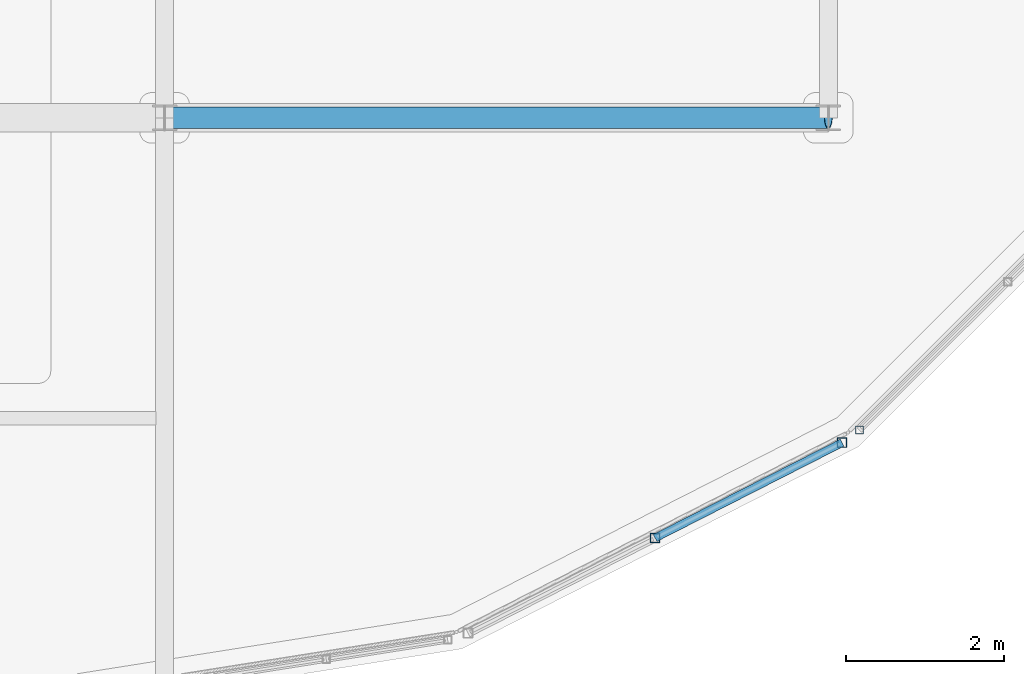
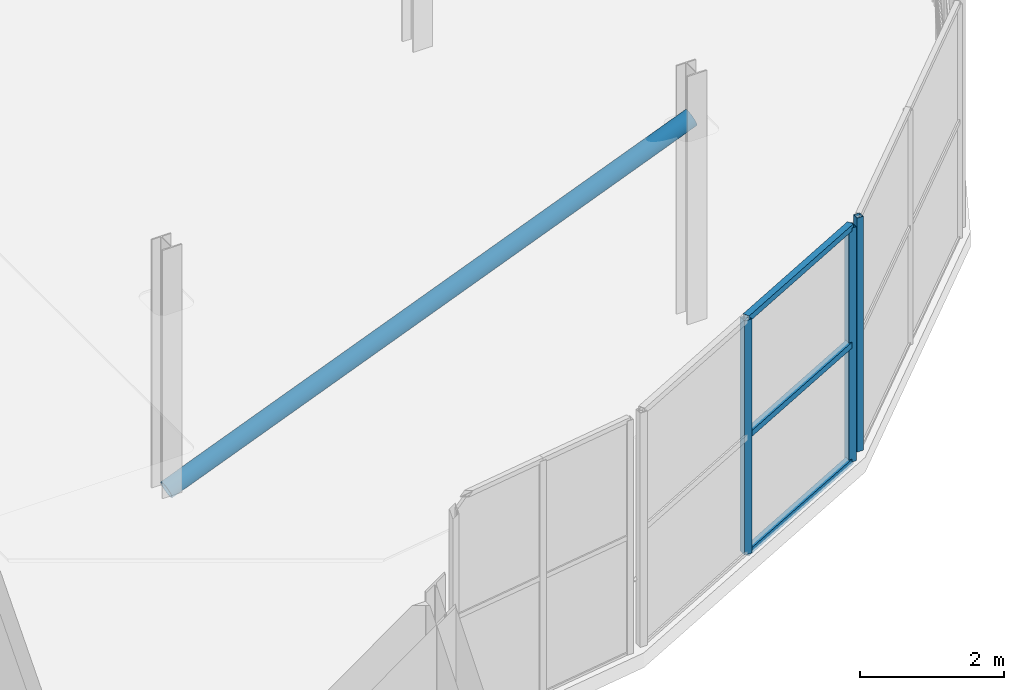
# One storey, part 92 of 151: 7 members, 2 elements without a shape of their own.
"""IFC4 building model written with IfcOpenShell, lengths in metres."""

from ifc_helpers import new_model, si_unit, direction, frame, origin, origin_2d, place, context, subcontext, project, spatial, hollow_rectangle, hollow_circle, extrude, material, material_profile, profile_set, type_object, element, aggregate, save


model = new_model("IFC4")

# Units and contexts
model_context = context("Model", 3, precision=1e-05, world=origin(), true_north=direction((0.0, 1.0)))
body_context = subcontext(model_context, "Body", "Model", "MODEL_VIEW")
ifc_project = project(units=[si_unit("LENGTHUNIT", "METRE"), si_unit("AREAUNIT", "SQUARE_METRE"), si_unit("VOLUMEUNIT", "CUBIC_METRE"), si_unit("PLANEANGLEUNIT", "RADIAN"), si_unit("MASSUNIT", "GRAM", prefix="KILO")], contexts=[model_context])

# Site, building, storey
site_placement = place(None, origin())
site = spatial("IfcSite", under=ifc_project, at=site_placement, CompositionType="ELEMENT")
building_placement = place(site_placement, origin())
building = spatial("IfcBuilding", under=site, at=building_placement, Name="Zuvorla Pavilion Media Centre", CompositionType="ELEMENT")
storey_placement = place(building_placement, frame((0.0, 0.0, 13.800048828125)))
storey = spatial("IfcBuildingStorey", under=building, at=storey_placement, Name="L03", CompositionType="ELEMENT", Elevation=13.800048828125)

# Curtain wall, member
ifc_material_1 = material(Name="Unitised anodised aluminium and solar glass curtain wall", Category="aluminium")
curtain_wall_type_1 = type_object("IfcCurtainWallType", Name="CW-SYS-04", PredefinedType="USERDEFINED", material=ifc_material_1)
curtain_wall_1_placement = place(storey_placement, origin())
curtain_wall_1 = element("IfcCurtainWall", 1, at=curtain_wall_1_placement, inside=storey, type_object=curtain_wall_type_1, Name="L03 curtain wall CW04 97", ObjectType="CURTAIN WALL", PredefinedType="USERDEFINED")
ifc_material_2 = material(Name="Anodised aluminium 6063-T6", Category="aluminium")
ifc_material_profile_1 = material_profile(ifc_material_2, hollow_rectangle(XDim=0.10009765625, YDim=0.10009765625, WallThickness=0.00439453125, at=origin_2d()), Name="ALU MULL 100x100")
ifc_profile_set_1 = profile_set([ifc_material_profile_1], Name="Anodised aluminium 6063-T6")
member_type_1 = type_object("IfcMemberType", Name="CW-MULL-100", PredefinedType="MULLION", material=ifc_profile_set_1)
member_1_placement = place(storey_placement, frame((167.994140625, 47.64990234375, 0.0), z_axis=(0.0, 0.0, 1.0), x_axis=(1.0, 0.0, 0.0)))
member_1 = element("IfcMember", 2, at=member_1_placement, type_object=member_type_1, Name="CW04 mullion 1", PredefinedType="MULLION", context=body_context, shape_type="SweptSolid", body=[
    extrude(hollow_rectangle(XDim=0.10009765625, YDim=0.10009765625, WallThickness=0.00439453125, at=origin_2d()), origin(), (0.0, 0.0, 1.0), 3.9599609375),
])
aggregate(curtain_wall_1, [member_1])

# Curtain wall, members
curtain_wall_type_2 = type_object("IfcCurtainWallType", Name="CW-SYS-03", PredefinedType="USERDEFINED", material=ifc_material_1)
curtain_wall_2_placement = place(storey_placement, origin())
curtain_wall_2 = element("IfcCurtainWall", 3, at=curtain_wall_2_placement, inside=storey, type_object=curtain_wall_type_2, Name="L03 curtain wall CW03 96", ObjectType="CURTAIN WALL", PredefinedType="USERDEFINED")
ifc_material_profile_2 = material_profile(ifc_material_2, hollow_rectangle(XDim=0.1201171875, YDim=0.1201171875, WallThickness=0.0048828125, at=origin_2d()), Name="ALU MULL 120x120")
ifc_profile_set_2 = profile_set([ifc_material_profile_2], Name="Anodised aluminium 6063-T6")
member_type_2 = type_object("IfcMemberType", Name="CW-MULL-120", PredefinedType="MULLION", material=ifc_profile_set_2)
member_2_placement = place(storey_placement, frame((165.40771484375, 46.2841796875, 0.0), z_axis=(0.0, 0.0, 1.0), x_axis=(1.0, 0.0, 0.0)))
member_2 = element("IfcMember", 4, at=member_2_placement, type_object=member_type_2, Name="CW03 mullion 2", PredefinedType="MULLION", context=body_context, shape_type="SweptSolid", body=[
    extrude(hollow_rectangle(XDim=0.1201171875, YDim=0.1201171875, WallThickness=0.0048828125, at=origin_2d()), origin(), (0.0, 0.0, 1.0), 3.9599609375),
])
member_3_placement = place(storey_placement, frame((167.77392578125, 47.48974609375, 0.0), z_axis=(0.0, 0.0, 1.0), x_axis=(1.0, 0.0, 0.0)))
member_3 = element("IfcMember", 5, at=member_3_placement, type_object=member_type_2, Name="CW03 mullion 3", PredefinedType="MULLION", context=body_context, shape_type="SweptSolid", body=[
    extrude(hollow_rectangle(XDim=0.1201171875, YDim=0.1201171875, WallThickness=0.0048828125, at=origin_2d()), origin(), (0.0, 0.0, 1.0), 3.9599609375),
])
ifc_material_profile_3 = material_profile(ifc_material_2, hollow_rectangle(XDim=0.10009765625, YDim=0.10009765625, WallThickness=0.00439453125, at=origin_2d()), Name="ALU TRAN 100x100")
ifc_profile_set_3 = profile_set([ifc_material_profile_3], Name="Anodised aluminium 6063-T6")
member_type_3 = type_object("IfcMemberType", Name="CW-TRAN-100", PredefinedType="USERDEFINED", material=ifc_profile_set_3)
member_4_placement = place(storey_placement, frame((165.40771484375, 46.2841796875, 0.0), z_axis=(0.891018448403, 0.45396709639, 0.0), x_axis=(-0.45396709639, 0.891018448403, 0.0)))
member_4 = element("IfcMember", 6, at=member_4_placement, type_object=member_type_3, Name="CW03 transom 2.1", ObjectType="TRANSOM", PredefinedType="USERDEFINED", context=body_context, shape_type="SweptSolid", body=[
    extrude(hollow_rectangle(XDim=0.10009765625, YDim=0.10009765625, WallThickness=0.00439453125, at=origin_2d()), origin(), (0.0, 0.0, 1.0), 2.655517578125),
])
member_5_placement = place(storey_placement, frame((165.40771484375, 46.2841796875, 1.97998046875), z_axis=(0.891018448403, 0.45396709639, 0.0), x_axis=(-0.45396709639, 0.891018448403, 0.0)))
member_5 = element("IfcMember", 7, at=member_5_placement, type_object=member_type_3, Name="CW03 transom 2.2", ObjectType="TRANSOM", PredefinedType="USERDEFINED", context=body_context, shape_type="SweptSolid", body=[
    extrude(hollow_rectangle(XDim=0.10009765625, YDim=0.10009765625, WallThickness=0.00439453125, at=origin_2d()), origin(), (0.0, 0.0, 1.0), 2.655517578125),
])
member_6_placement = place(storey_placement, frame((165.40771484375, 46.2841796875, 3.9599609375), z_axis=(0.891018448403, 0.45396709639, 0.0), x_axis=(-0.45396709639, 0.891018448403, 0.0)))
member_6 = element("IfcMember", 8, at=member_6_placement, type_object=member_type_3, Name="CW03 transom 2.3", ObjectType="TRANSOM", PredefinedType="USERDEFINED", context=body_context, shape_type="SweptSolid", body=[
    extrude(hollow_rectangle(XDim=0.10009765625, YDim=0.10009765625, WallThickness=0.00439453125, at=origin_2d()), origin(), (0.0, 0.0, 1.0), 2.655517578125),
])
aggregate(curtain_wall_2, [member_2, member_3, member_4, member_5, member_6])

# Member
ifc_material_3 = material(Name="Steel S355", Category="steel")
ifc_material_profile_4 = material_profile(ifc_material_3, hollow_circle(Radius=0.136474609375, WallThickness=0.012451171875, at=origin_2d()), Name="CHS 273x12.5")
ifc_profile_set_4 = profile_set([ifc_material_profile_4], Name="Steel S355")
member_type_4 = type_object("IfcMemberType", Name="MEM-BRC-CHS273", PredefinedType="BRACE", material=ifc_profile_set_4)
member_7_placement = place(storey_placement, frame((159.199951171875, 51.60009765625, 0.0), z_axis=(0.928484134927, 0.0, 0.371372065709), x_axis=(0.0, 1.0, 0.0)))
element("IfcMember", 9, at=member_7_placement, inside=storey, type_object=member_type_4, Name="L03 diagonal brace TB01 30", PredefinedType="BRACE", context=body_context, shape_type="SweptSolid", body=[
    extrude(hollow_circle(Radius=0.136474609375, WallThickness=0.012451171875, at=origin_2d()), origin(), (0.0, 0.0, 1.0), 9.047119140625),
])

save(model, "model.ifc")
